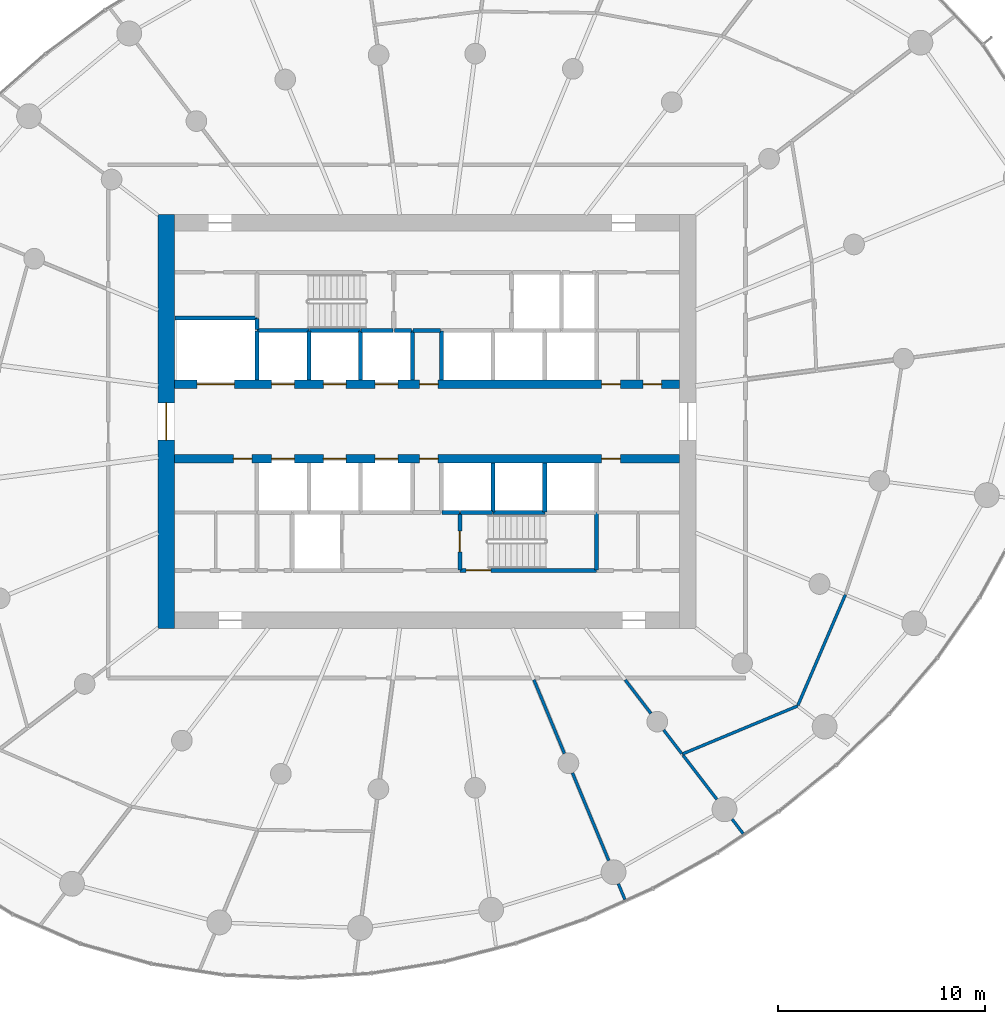
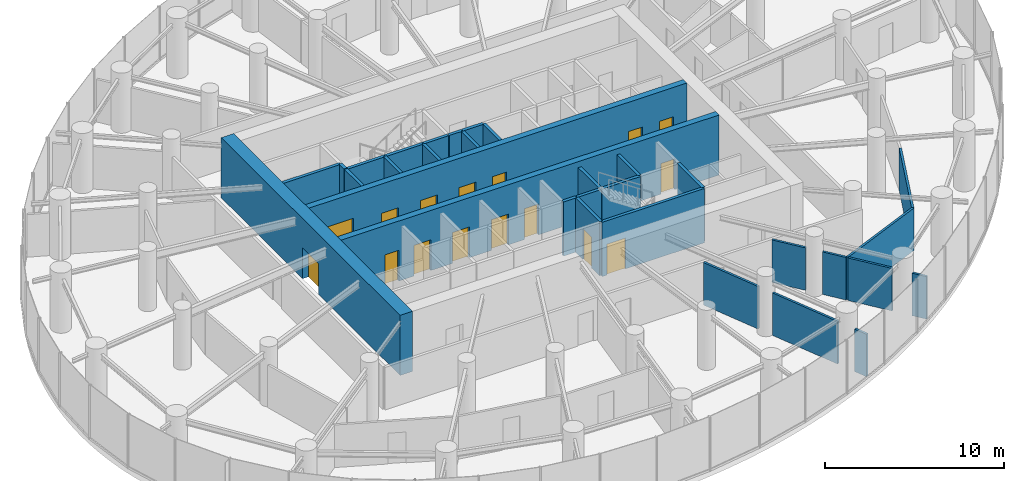
# One storey, part 11 of 17: 32 walls, 16 doors, 16 openings.
"""IFC4 building model written with IfcOpenShell, lengths in metres."""

from ifc_helpers import new_model, si_unit, direction, frame, frame_2d, origin, place, context, subcontext, project, spatial, rectangle, extrude, source, transform, mapped, material, layer, layer_set, type_object, element, fill, save


model = new_model("IFC4")

# Units and contexts
model_context = context("Model", 3, precision=1e-05, world=origin(), true_north=direction((0.0, 1.0)))
body_context = subcontext(model_context, "Body", "Model", "MODEL_VIEW")
ifc_project = project(units=[si_unit("LENGTHUNIT", "METRE"), si_unit("AREAUNIT", "SQUARE_METRE"), si_unit("VOLUMEUNIT", "CUBIC_METRE"), si_unit("PLANEANGLEUNIT", "RADIAN"), si_unit("MASSUNIT", "GRAM", prefix="KILO")], contexts=[model_context])

# Site, building, storey
site_placement = place(None, origin())
site = spatial("IfcSite", under=ifc_project, at=site_placement, CompositionType="ELEMENT")
building_placement = place(site_placement, origin())
building = spatial("IfcBuilding", under=site, at=building_placement, Name="Spindrift Exchange Tower", CompositionType="ELEMENT")
storey_placement = place(building_placement, frame((0.0, 0.0, 112.60009765625)))
storey = spatial("IfcBuildingStorey", under=building, at=storey_placement, Name="L26", CompositionType="ELEMENT", Elevation=112.60009765625)

# Wall, opening, door
ifc_material_1 = material(Name="Concrete 65 MPa", Category="concrete")
ifc_layer_1 = layer(ifc_material_1, 0.800048828125)
ifc_layer_set_1 = layer_set([ifc_layer_1], Name="RC Core Wall 800 Concrete 65 MPa")
wall_type_1 = type_object("IfcWallType", Name="RC Core Wall 800 Concrete 65 MPa", PredefinedType="SHEAR", material=ifc_layer_set_1)
wall_1_placement = place(storey_placement, frame((39.39990234375, 58.0, 0.0), z_axis=(0.0, 0.0, 1.0), x_axis=(0.0, -1.0, 0.0)))
wall_1 = element("IfcWall", 1, at=wall_1_placement, inside=storey, type_object=wall_type_1, Name="Core wall W L26", PredefinedType="SHEAR", context=body_context, shape_type="SweptSolid", body=[
    extrude(rectangle(XDim=20.0, YDim=0.800048828125, at=frame_2d((10.0, 0.0))), origin(), (0.0, 0.0, 1.0), 4.099853515625),
])
opening_1_placement = place(wall_1_placement, frame((9.10009765625, 0.0, 0.0)))
opening_1 = element("IfcOpeningElement", 2, at=opening_1_placement, cuts=wall_1, Name="Opening L26-D1", PredefinedType="OPENING", context=body_context, shape_type="SweptSolid", body=[
    extrude(rectangle(XDim=1.800048828125, YDim=2.10009765625, at=frame_2d((0.89990234375, 1.050048828125))), frame((0.0, 0.409912109375, 0.0), z_axis=(0.0, -1.0, 0.0), x_axis=(1.0, 0.0, 0.0)), (0.0, 0.0, 1.0), 0.820068359375),
])
ifc_material_2 = material(Name="Timber-core fire door", Category="wood")
door_type_1 = type_object("IfcDoorType", Name="DR-LOBBY-1800", OperationType="NOTDEFINED", PredefinedType="DOOR", material=ifc_material_2)
shared_shape_1 = source(origin(), body_context, "Body", "SweptSolid", [
    extrude(rectangle(XDim=1.800048828125, YDim=2.10009765625, at=frame_2d((0.89990234375, 1.050048828125))), frame((0.0, 0.02490234375, 0.0), z_axis=(0.0, -1.0, 0.0), x_axis=(1.0, 0.0, 0.0)), (0.0, 0.0, 1.0), 0.050048828125),
])
door_1_placement = place(opening_1_placement, origin())
door_1 = element("IfcDoor", 3, at=door_1_placement, inside=storey, type_object=door_type_1, Name="L26 Lobby door 1", OperationType="SINGLE_SWING_LEFT", OverallHeight=2.10009765625, OverallWidth=1.800048828125, PredefinedType="DOOR", context=body_context, shape_type="MappedRepresentation", body=[
    mapped(shared_shape_1, transform((0.0, 0.0, 0.0), scale=1.0)),
])
fill(opening_1, door_1)

# Wall, openings, doors
ifc_layer_2 = layer(ifc_material_1, 0.39990234375)
ifc_layer_set_2 = layer_set([ifc_layer_2], Name="RC Spine Wall 400 Concrete 65 MPa")
wall_type_2 = type_object("IfcWallType", Name="RC Spine Wall 400 Concrete 65 MPa", PredefinedType="SHEAR", material=ifc_layer_set_2)
wall_2_placement = place(storey_placement, frame((39.800048828125, 49.800048828125, 0.0), z_axis=(0.0, 0.0, 1.0), x_axis=(1.0, 0.0, 0.0)))
wall_2 = element("IfcWall", 4, at=wall_2_placement, inside=storey, type_object=wall_type_2, Name="Core spine wall N L26", PredefinedType="SHEAR", context=body_context, shape_type="SweptSolid", body=[
    extrude(rectangle(XDim=24.39990234375, YDim=0.39990234375, at=frame_2d((12.199951171875, 0.0))), origin(), (0.0, 0.0, 1.0), 4.099853515625),
])
opening_2_placement = place(wall_2_placement, frame((4.699951171875, 0.0, 0.0)))
opening_2 = element("IfcOpeningElement", 5, at=opening_2_placement, cuts=wall_2, Name="Opening L26-D3", PredefinedType="OPENING", context=body_context, shape_type="SweptSolid", body=[
    extrude(rectangle(XDim=1.10009765625, YDim=2.10009765625, at=frame_2d((0.550048828125, 1.050048828125))), frame((0.0, 0.2099609375, 0.0), z_axis=(0.0, -1.0, 0.0), x_axis=(1.0, 0.0, 0.0)), (0.0, 0.0, 1.0), 0.419921875),
])
opening_3_placement = place(wall_2_placement, frame((7.199951171875, 0.0, 0.0)))
opening_3 = element("IfcOpeningElement", 6, at=opening_3_placement, cuts=wall_2, Name="Opening L26-D4", PredefinedType="OPENING", context=body_context, shape_type="SweptSolid", body=[
    extrude(rectangle(XDim=1.10009765625, YDim=2.10009765625, at=frame_2d((0.550048828125, 1.050048828125))), frame((0.0, 0.2099609375, 0.0), z_axis=(0.0, -1.0, 0.0), x_axis=(1.0, 0.0, 0.0)), (0.0, 0.0, 1.0), 0.419921875),
])
opening_4_placement = place(wall_2_placement, frame((9.699951171875, 0.0, 0.0)))
opening_4 = element("IfcOpeningElement", 7, at=opening_4_placement, cuts=wall_2, Name="Opening L26-D5", PredefinedType="OPENING", context=body_context, shape_type="SweptSolid", body=[
    extrude(rectangle(XDim=1.10009765625, YDim=2.10009765625, at=frame_2d((0.550048828125, 1.050048828125))), frame((0.0, 0.2099609375, 0.0), z_axis=(0.0, -1.0, 0.0), x_axis=(1.0, 0.0, 0.0)), (0.0, 0.0, 1.0), 0.419921875),
])
opening_5_placement = place(wall_2_placement, frame((1.10009765625, 0.0, 0.0)))
opening_5 = element("IfcOpeningElement", 8, at=opening_5_placement, cuts=wall_2, Name="Opening L26-D12", PredefinedType="OPENING", context=body_context, shape_type="SweptSolid", body=[
    extrude(rectangle(XDim=1.800048828125, YDim=2.39990234375, at=frame_2d((0.89990234375, 1.199951171875))), frame((0.0, 0.2099609375, 0.0), z_axis=(0.0, -1.0, 0.0), x_axis=(1.0, 0.0, 0.0)), (0.0, 0.0, 1.0), 0.419921875),
])
opening_6_placement = place(wall_2_placement, frame((20.64990234375, 0.0, 0.0)))
opening_6 = element("IfcOpeningElement", 9, at=opening_6_placement, cuts=wall_2, Name="Opening L26-D50", PredefinedType="OPENING", context=body_context, shape_type="SweptSolid", body=[
    extrude(rectangle(XDim=0.89990234375, YDim=2.10009765625, at=frame_2d((0.449951171875, 1.050048828125))), frame((0.0, 0.2099609375, 0.0), z_axis=(0.0, -1.0, 0.0), x_axis=(1.0, 0.0, 0.0)), (0.0, 0.0, 1.0), 0.419921875),
])
opening_7_placement = place(wall_2_placement, frame((22.64990234375, 0.0, 0.0)))
opening_7 = element("IfcOpeningElement", 10, at=opening_7_placement, cuts=wall_2, Name="Opening L26-D51", PredefinedType="OPENING", context=body_context, shape_type="SweptSolid", body=[
    extrude(rectangle(XDim=0.89990234375, YDim=2.10009765625, at=frame_2d((0.449951171875, 1.050048828125))), frame((0.0, 0.2099609375, 0.0), z_axis=(0.0, -1.0, 0.0), x_axis=(1.0, 0.0, 0.0)), (0.0, 0.0, 1.0), 0.419921875),
])
opening_8_placement = place(wall_2_placement, frame((11.85009765625, 0.0, 0.0)))
opening_8 = element("IfcOpeningElement", 11, at=opening_8_placement, cuts=wall_2, Name="Opening L26-D56", PredefinedType="OPENING", context=body_context, shape_type="SweptSolid", body=[
    extrude(rectangle(XDim=0.89990234375, YDim=2.10009765625, at=frame_2d((0.449951171875, 1.050048828125))), frame((0.0, 0.2099609375, 0.0), z_axis=(0.0, -1.0, 0.0), x_axis=(1.0, 0.0, 0.0)), (0.0, 0.0, 1.0), 0.419921875),
])
ifc_material_3 = material(Name="Stainless steel landing door", Category="steel")
door_type_2 = type_object("IfcDoorType", Name="DR-LANDING-1100-SL", OperationType="DOUBLE_DOOR_SLIDING", PredefinedType="USERDEFINED", material=ifc_material_3)
shared_shape_2 = source(origin(), body_context, "Body", "SweptSolid", [
    extrude(rectangle(XDim=1.10009765625, YDim=2.10009765625, at=frame_2d((0.550048828125, 1.050048828125))), frame((0.0, 0.02490234375, 0.0), z_axis=(0.0, -1.0, 0.0), x_axis=(1.0, 0.0, 0.0)), (0.0, 0.0, 1.0), 0.050048828125),
])
door_2_placement = place(opening_2_placement, origin())
door_2 = element("IfcDoor", 12, at=door_2_placement, inside=storey, type_object=door_type_2, Name="L26 Lift landing door 3", ObjectType="LANDING DOOR", OperationType="DOUBLE_DOOR_SLIDING", OverallHeight=2.10009765625, OverallWidth=1.10009765625, PredefinedType="USERDEFINED", context=body_context, shape_type="MappedRepresentation", body=[
    mapped(shared_shape_2, transform((0.0, 0.0, 0.0), scale=1.0)),
])
fill(opening_2, door_2)
door_3_placement = place(opening_3_placement, origin())
door_3 = element("IfcDoor", 13, at=door_3_placement, inside=storey, type_object=door_type_2, Name="L26 Lift landing door 4", ObjectType="LANDING DOOR", OperationType="DOUBLE_DOOR_SLIDING", OverallHeight=2.10009765625, OverallWidth=1.10009765625, PredefinedType="USERDEFINED", context=body_context, shape_type="MappedRepresentation", body=[
    mapped(shared_shape_2, transform((0.0, 0.0, 0.0), scale=1.0)),
])
fill(opening_3, door_3)
door_4_placement = place(opening_4_placement, origin())
door_4 = element("IfcDoor", 14, at=door_4_placement, inside=storey, type_object=door_type_2, Name="L26 Lift landing door 5", ObjectType="LANDING DOOR", OperationType="DOUBLE_DOOR_SLIDING", OverallHeight=2.10009765625, OverallWidth=1.10009765625, PredefinedType="USERDEFINED", context=body_context, shape_type="MappedRepresentation", body=[
    mapped(shared_shape_2, transform((0.0, 0.0, 0.0), scale=1.0)),
])
fill(opening_4, door_4)
door_type_3 = type_object("IfcDoorType", Name="DR-LANDING-1800-SL", OperationType="DOUBLE_DOOR_SLIDING", PredefinedType="USERDEFINED", material=ifc_material_3)
shared_shape_3 = source(origin(), body_context, "Body", "SweptSolid", [
    extrude(rectangle(XDim=1.800048828125, YDim=2.39990234375, at=frame_2d((0.89990234375, 1.199951171875))), frame((0.0, 0.02490234375, 0.0), z_axis=(0.0, -1.0, 0.0), x_axis=(1.0, 0.0, 0.0)), (0.0, 0.0, 1.0), 0.050048828125),
])
door_5_placement = place(opening_5_placement, origin())
door_5 = element("IfcDoor", 15, at=door_5_placement, inside=storey, type_object=door_type_3, Name="L26 Lift landing door 12", ObjectType="LANDING DOOR", OperationType="DOUBLE_DOOR_SLIDING", OverallHeight=2.39990234375, OverallWidth=1.800048828125, PredefinedType="USERDEFINED", context=body_context, shape_type="MappedRepresentation", body=[
    mapped(shared_shape_3, transform((0.0, 0.0, 0.0), scale=1.0)),
])
fill(opening_5, door_5)
ifc_material_4 = material(Name="Steel access door", Category="steel")
door_type_4 = type_object("IfcDoorType", Name="DR-RISER-900", OperationType="NOTDEFINED", PredefinedType="DOOR", material=ifc_material_4)
shared_shape_4 = source(origin(), body_context, "Body", "SweptSolid", [
    extrude(rectangle(XDim=0.89990234375, YDim=2.10009765625, at=frame_2d((0.449951171875, 1.050048828125))), frame((0.0, 0.02490234375, 0.0), z_axis=(0.0, -1.0, 0.0), x_axis=(1.0, 0.0, 0.0)), (0.0, 0.0, 1.0), 0.050048828125),
])
door_6_placement = place(opening_6_placement, origin())
door_6 = element("IfcDoor", 16, at=door_6_placement, inside=storey, type_object=door_type_4, Name="L26 Riser door 50", OperationType="SINGLE_SWING_RIGHT", OverallHeight=2.10009765625, OverallWidth=0.89990234375, PredefinedType="DOOR", context=body_context, shape_type="MappedRepresentation", body=[
    mapped(shared_shape_4, transform((0.0, 0.0, 0.0), scale=1.0)),
])
fill(opening_6, door_6)
door_7_placement = place(opening_7_placement, origin())
door_7 = element("IfcDoor", 17, at=door_7_placement, inside=storey, type_object=door_type_4, Name="L26 Riser door 51", OperationType="SINGLE_SWING_LEFT", OverallHeight=2.10009765625, OverallWidth=0.89990234375, PredefinedType="DOOR", context=body_context, shape_type="MappedRepresentation", body=[
    mapped(shared_shape_4, transform((0.0, 0.0, 0.0), scale=1.0)),
])
fill(opening_7, door_7)
door_8_placement = place(opening_8_placement, origin())
door_8 = element("IfcDoor", 18, at=door_8_placement, inside=storey, type_object=door_type_4, Name="L26 Riser door 56", OperationType="SINGLE_SWING_RIGHT", OverallHeight=2.10009765625, OverallWidth=0.89990234375, PredefinedType="DOOR", context=body_context, shape_type="MappedRepresentation", body=[
    mapped(shared_shape_4, transform((0.0, 0.0, 0.0), scale=1.0)),
])
fill(opening_8, door_8)

wall_3_placement = place(storey_placement, frame((39.800048828125, 46.199951171875, 0.0), z_axis=(0.0, 0.0, 1.0), x_axis=(1.0, 0.0, 0.0)))
wall_3 = element("IfcWall", 19, at=wall_3_placement, inside=storey, type_object=wall_type_2, Name="Core spine wall S L26", PredefinedType="SHEAR", context=body_context, shape_type="SweptSolid", body=[
    extrude(rectangle(XDim=24.39990234375, YDim=0.39990234375, at=frame_2d((12.199951171875, 0.0))), origin(), (0.0, 0.0, 1.0), 4.099853515625),
])
opening_9_placement = place(wall_3_placement, frame((4.699951171875, 0.0, 0.0)))
opening_9 = element("IfcOpeningElement", 20, at=opening_9_placement, cuts=wall_3, Name="Opening L26-D6", PredefinedType="OPENING", context=body_context, shape_type="SweptSolid", body=[
    extrude(rectangle(XDim=1.10009765625, YDim=2.10009765625, at=frame_2d((0.550048828125, 1.050048828125))), frame((0.0, 0.2099609375, 0.0), z_axis=(0.0, -1.0, 0.0), x_axis=(1.0, 0.0, 0.0)), (0.0, 0.0, 1.0), 0.419921875),
])
opening_10_placement = place(wall_3_placement, frame((7.199951171875, 0.0, 0.0)))
opening_10 = element("IfcOpeningElement", 21, at=opening_10_placement, cuts=wall_3, Name="Opening L26-D7", PredefinedType="OPENING", context=body_context, shape_type="SweptSolid", body=[
    extrude(rectangle(XDim=1.10009765625, YDim=2.10009765625, at=frame_2d((0.550048828125, 1.050048828125))), frame((0.0, 0.2099609375, 0.0), z_axis=(0.0, -1.0, 0.0), x_axis=(1.0, 0.0, 0.0)), (0.0, 0.0, 1.0), 0.419921875),
])
opening_11_placement = place(wall_3_placement, frame((9.699951171875, 0.0, 0.0)))
opening_11 = element("IfcOpeningElement", 22, at=opening_11_placement, cuts=wall_3, Name="Opening L26-D8", PredefinedType="OPENING", context=body_context, shape_type="SweptSolid", body=[
    extrude(rectangle(XDim=1.10009765625, YDim=2.10009765625, at=frame_2d((0.550048828125, 1.050048828125))), frame((0.0, 0.2099609375, 0.0), z_axis=(0.0, -1.0, 0.0), x_axis=(1.0, 0.0, 0.0)), (0.0, 0.0, 1.0), 0.419921875),
])
opening_12_placement = place(wall_3_placement, frame((20.64990234375, 0.0, 0.0)))
opening_12 = element("IfcOpeningElement", 23, at=opening_12_placement, cuts=wall_3, Name="Opening L26-D49", PredefinedType="OPENING", context=body_context, shape_type="SweptSolid", body=[
    extrude(rectangle(XDim=0.89990234375, YDim=2.10009765625, at=frame_2d((0.449951171875, 1.050048828125))), frame((0.0, 0.2099609375, 0.0), z_axis=(0.0, -1.0, 0.0), x_axis=(1.0, 0.0, 0.0)), (0.0, 0.0, 1.0), 0.419921875),
])
opening_13_placement = place(wall_3_placement, frame((2.85009765625, 0.0, 0.0)))
opening_13 = element("IfcOpeningElement", 24, at=opening_13_placement, cuts=wall_3, Name="Opening L26-D55", PredefinedType="OPENING", context=body_context, shape_type="SweptSolid", body=[
    extrude(rectangle(XDim=0.89990234375, YDim=2.10009765625, at=frame_2d((0.449951171875, 1.050048828125))), frame((0.0, 0.2099609375, 0.0), z_axis=(0.0, -1.0, 0.0), x_axis=(1.0, 0.0, 0.0)), (0.0, 0.0, 1.0), 0.419921875),
])
opening_14_placement = place(wall_3_placement, frame((11.85009765625, 0.0, 0.0)))
opening_14 = element("IfcOpeningElement", 25, at=opening_14_placement, cuts=wall_3, Name="Opening L26-D57", PredefinedType="OPENING", context=body_context, shape_type="SweptSolid", body=[
    extrude(rectangle(XDim=0.89990234375, YDim=2.10009765625, at=frame_2d((0.449951171875, 1.050048828125))), frame((0.0, 0.2099609375, 0.0), z_axis=(0.0, -1.0, 0.0), x_axis=(1.0, 0.0, 0.0)), (0.0, 0.0, 1.0), 0.419921875),
])
door_9_placement = place(opening_9_placement, origin())
door_9 = element("IfcDoor", 26, at=door_9_placement, inside=storey, type_object=door_type_2, Name="L26 Lift landing door 6", ObjectType="LANDING DOOR", OperationType="DOUBLE_DOOR_SLIDING", OverallHeight=2.10009765625, OverallWidth=1.10009765625, PredefinedType="USERDEFINED", context=body_context, shape_type="MappedRepresentation", body=[
    mapped(shared_shape_2, transform((0.0, 0.0, 0.0), scale=1.0)),
])
fill(opening_9, door_9)
door_10_placement = place(opening_10_placement, origin())
door_10 = element("IfcDoor", 27, at=door_10_placement, inside=storey, type_object=door_type_2, Name="L26 Lift landing door 7", ObjectType="LANDING DOOR", OperationType="DOUBLE_DOOR_SLIDING", OverallHeight=2.10009765625, OverallWidth=1.10009765625, PredefinedType="USERDEFINED", context=body_context, shape_type="MappedRepresentation", body=[
    mapped(shared_shape_2, transform((0.0, 0.0, 0.0), scale=1.0)),
])
fill(opening_10, door_10)
door_11_placement = place(opening_11_placement, origin())
door_11 = element("IfcDoor", 28, at=door_11_placement, inside=storey, type_object=door_type_2, Name="L26 Lift landing door 8", ObjectType="LANDING DOOR", OperationType="DOUBLE_DOOR_SLIDING", OverallHeight=2.10009765625, OverallWidth=1.10009765625, PredefinedType="USERDEFINED", context=body_context, shape_type="MappedRepresentation", body=[
    mapped(shared_shape_2, transform((0.0, 0.0, 0.0), scale=1.0)),
])
fill(opening_11, door_11)
door_12_placement = place(opening_12_placement, origin())
door_12 = element("IfcDoor", 29, at=door_12_placement, inside=storey, type_object=door_type_4, Name="L26 Riser door 49", OperationType="SINGLE_SWING_LEFT", OverallHeight=2.10009765625, OverallWidth=0.89990234375, PredefinedType="DOOR", context=body_context, shape_type="MappedRepresentation", body=[
    mapped(shared_shape_4, transform((0.0, 0.0, 0.0), scale=1.0)),
])
fill(opening_12, door_12)
door_13_placement = place(opening_13_placement, origin())
door_13 = element("IfcDoor", 30, at=door_13_placement, inside=storey, type_object=door_type_4, Name="L26 Riser door 55", OperationType="SINGLE_SWING_LEFT", OverallHeight=2.10009765625, OverallWidth=0.89990234375, PredefinedType="DOOR", context=body_context, shape_type="MappedRepresentation", body=[
    mapped(shared_shape_4, transform((0.0, 0.0, 0.0), scale=1.0)),
])
fill(opening_13, door_13)
door_14_placement = place(opening_14_placement, origin())
door_14 = element("IfcDoor", 31, at=door_14_placement, inside=storey, type_object=door_type_4, Name="L26 Riser door 57", OperationType="SINGLE_SWING_LEFT", OverallHeight=2.10009765625, OverallWidth=0.89990234375, PredefinedType="DOOR", context=body_context, shape_type="MappedRepresentation", body=[
    mapped(shared_shape_4, transform((0.0, 0.0, 0.0), scale=1.0)),
])
fill(opening_14, door_14)

# Walls
ifc_material_5 = material(Name="Fire-rated plasterboard partition", Category="gypsum")
ifc_layer_3 = layer(ifc_material_5, 0.139892578125)
ifc_layer_set_3 = layer_set([ifc_layer_3], Name="W-PART-140")
wall_type_3 = type_object("IfcWallType", Name="W-PART-140", PredefinedType="PARTITIONING", material=ifc_layer_set_3)
wall_4_placement = place(storey_placement, frame((64.3798828125, 31.8662109375, 0.0), z_axis=(0.0, 0.0, 1.0), x_axis=(0.608796156599, -0.793326691666, 0.0)))
element("IfcWall", 32, at=wall_4_placement, inside=storey, type_object=wall_type_3, Name="L26 Partition wall 106", PredefinedType="PARTITIONING", context=body_context, shape_type="SweptSolid", body=[
    extrude(rectangle(XDim=2.684326171875, YDim=0.139892578125, at=frame_2d((1.34228515625, 0.0))), origin(), (0.0, 0.0, 1.0), 2.89990234375),
])
wall_5_placement = place(storey_placement, frame((66.75, 28.777587890625, 0.0), z_axis=(0.0, 0.0, 1.0), x_axis=(0.608583077593, -0.7934901623, 0.0)))
element("IfcWall", 33, at=wall_5_placement, inside=storey, type_object=wall_type_3, Name="L26 Partition wall 135", PredefinedType="PARTITIONING", context=body_context, shape_type="SweptSolid", body=[
    extrude(rectangle(XDim=0.87939453125, YDim=0.139892578125, at=frame_2d((0.439697265625, 0.0))), origin(), (0.0, 0.0, 1.0), 2.89990234375),
])
ifc_layer_4 = layer(ifc_material_5, 0.139892578125)
ifc_layer_set_4 = layer_set([ifc_layer_4], Name="W-PLANT-140")
wall_type_4 = type_object("IfcWallType", Name="W-PLANT-140", PredefinedType="PARTITIONING", material=ifc_layer_set_4)
wall_6_placement = place(storey_placement, frame((64.335693359375, 31.923583984375, 0.0), z_axis=(0.0, 0.0, 1.0), x_axis=(0.922965808989, 0.384881950002, 0.0)))
element("IfcWall", 34, at=wall_6_placement, inside=storey, type_object=wall_type_4, Name="L26 Partition wall 69", PredefinedType="PARTITIONING", context=body_context, shape_type="SweptSolid", body=[
    extrude(rectangle(XDim=6.047607421875, YDim=0.139892578125, at=frame_2d((3.02392578125, 0.0))), origin(), (0.0, 0.0, 1.0), 2.89990234375),
])
wall_7_placement = place(storey_placement, frame((69.929443359375, 34.27880859375, 0.0), z_axis=(0.0, 0.0, 1.0), x_axis=(0.39424857612, 0.919003841247, 0.0)))
element("IfcWall", 35, at=wall_7_placement, inside=storey, type_object=wall_type_4, Name="L26 Partition wall 72", PredefinedType="PARTITIONING", context=body_context, shape_type="SweptSolid", body=[
    extrude(rectangle(XDim=5.816162109375, YDim=0.139892578125, at=frame_2d((2.908203125, 0.0))), origin(), (0.0, 0.0, 1.0), 2.89990234375),
])
wall_8_placement = place(storey_placement, frame((59.034912109375, 31.015869140625, 0.0), z_axis=(0.0, 0.0, 1.0), x_axis=(0.382705930348, -0.923870213221, 0.0)))
element("IfcWall", 36, at=wall_8_placement, inside=storey, type_object=wall_type_4, Name="L26 Partition wall 85", PredefinedType="PARTITIONING", context=body_context, shape_type="SweptSolid", body=[
    extrude(rectangle(XDim=4.586669921875, YDim=0.139892578125, at=frame_2d((2.29345703125, 0.0))), origin(), (0.0, 0.0, 1.0), 2.89990234375),
])
wall_9_placement = place(storey_placement, frame((57.173583984375, 35.510009765625, 0.0), z_axis=(0.0, 0.0, 1.0), x_axis=(0.382644558062, -0.923895633817, 0.0)))
element("IfcWall", 37, at=wall_9_placement, inside=storey, type_object=wall_type_4, Name="L26 Partition wall 93", PredefinedType="PARTITIONING", context=body_context, shape_type="SweptSolid", body=[
    extrude(rectangle(XDim=3.854248046875, YDim=0.139892578125, at=frame_2d((1.92724609375, 0.0))), origin(), (0.0, 0.0, 1.0), 2.89990234375),
])
wall_10_placement = place(storey_placement, frame((61.583984375, 35.510009765625, 0.0), z_axis=(0.0, 0.0, 1.0), x_axis=(0.608727763541, -0.793379171578, 0.0)))
element("IfcWall", 38, at=wall_10_placement, inside=storey, type_object=wall_type_4, Name="L26 Partition wall 109", PredefinedType="PARTITIONING", context=body_context, shape_type="SweptSolid", body=[
    extrude(rectangle(XDim=2.04150390625, YDim=0.139892578125, at=frame_2d((1.020751953125, 0.0))), origin(), (0.0, 0.0, 1.0), 2.89990234375),
])
wall_11_placement = place(storey_placement, frame((63.44091796875, 33.08984375, 0.0), z_axis=(0.0, 0.0, 1.0), x_axis=(0.608726959118, -0.793379788779, 0.0)))
element("IfcWall", 39, at=wall_11_placement, inside=storey, type_object=wall_type_4, Name="L26 Partition wall 126", PredefinedType="PARTITIONING", context=body_context, shape_type="SweptSolid", body=[
    extrude(rectangle(XDim=1.43994140625, YDim=0.139892578125, at=frame_2d((0.719970703125, 0.0))), origin(), (0.0, 0.0, 1.0), 2.89990234375),
])
wall_12_placement = place(storey_placement, frame((61.25341796875, 25.660400390625, 0.0), z_axis=(0.0, 0.0, 1.0), x_axis=(0.382585904135, -0.923919923996, 0.0)))
element("IfcWall", 40, at=wall_12_placement, inside=storey, type_object=wall_type_4, Name="L26 Partition wall 137", PredefinedType="PARTITIONING", context=body_context, shape_type="SweptSolid", body=[
    extrude(rectangle(XDim=0.828857421875, YDim=0.139892578125, at=frame_2d((0.41455078125, 0.0))), origin(), (0.0, 0.0, 1.0), 2.89990234375),
])
ifc_material_6 = material(Name="Concrete 40 MPa", Category="concrete")
ifc_layer_5 = layer(ifc_material_6, 0.199951171875)
ifc_layer_set_5 = layer_set([ifc_layer_5], Name="W-SHAFT-200")
wall_type_5 = type_object("IfcWallType", Name="W-SHAFT-200", PredefinedType="SOLIDWALL", material=ifc_layer_set_5)
wall_13_placement = place(storey_placement, frame((51.300048828125, 50.010009765625, 0.0), z_axis=(0.0, 0.0, 1.0), x_axis=(0.0, 1.0, 0.0)))
element("IfcWall", 41, at=wall_13_placement, inside=storey, type_object=wall_type_5, Name="L26 Shaft wall 30", PredefinedType="SOLIDWALL", context=body_context, shape_type="SweptSolid", body=[
    extrude(rectangle(XDim=2.389892578125, YDim=0.199951171875, at=frame_2d((1.19482421875, 0.0))), origin(), (0.0, 0.0, 1.0), 3.699951171875),
])
wall_14_placement = place(storey_placement, frame((52.699951171875, 52.3701171875, 0.0), z_axis=(0.0, 0.0, 1.0), x_axis=(0.0, -1.0, 0.0)))
element("IfcWall", 42, at=wall_14_placement, inside=storey, type_object=wall_type_5, Name="L26 Shaft wall 32", PredefinedType="SOLIDWALL", context=body_context, shape_type="SweptSolid", body=[
    extrude(rectangle(XDim=2.360107421875, YDim=0.199951171875, at=frame_2d((1.18017578125, 0.0))), origin(), (0.0, 0.0, 1.0), 3.699951171875),
])
wall_15_placement = place(storey_placement, frame((51.330078125, 52.39990234375, 0.0), z_axis=(0.0, 0.0, 1.0), x_axis=(1.0, 0.0, 0.0)))
element("IfcWall", 43, at=wall_15_placement, inside=storey, type_object=wall_type_5, Name="L26 Shaft wall 49", PredefinedType="SOLIDWALL", context=body_context, shape_type="SweptSolid", body=[
    extrude(rectangle(XDim=1.33984375, YDim=0.199951171875, at=frame_2d((0.669921875, 0.0))), origin(), (0.0, 0.0, 1.0), 3.699951171875),
])

# Wall, opening, door
ifc_layer_6 = layer(ifc_material_6, 0.199951171875)
ifc_layer_set_6 = layer_set([ifc_layer_6], Name="W-SHAFT-200-LB")
wall_type_6 = type_object("IfcWallType", Name="W-SHAFT-200-LB", PredefinedType="SOLIDWALL", material=ifc_layer_set_6)
wall_16_placement = place(storey_placement, frame((53.60009765625, 40.800048828125, 0.0), z_axis=(0.0, 0.0, 1.0), x_axis=(1.0, 0.0, 0.0)))
wall_16 = element("IfcWall", 44, at=wall_16_placement, inside=storey, type_object=wall_type_6, Name="L26 Shaft wall 2", PredefinedType="SOLIDWALL", context=body_context, shape_type="SweptSolid", body=[
    extrude(rectangle(XDim=6.599853515625, YDim=0.199951171875, at=frame_2d((3.2998046875, 0.0))), origin(), (0.0, 0.0, 1.0), 3.699951171875),
])
opening_15_placement = place(wall_16_placement, frame((0.300048828125, 0.0, 0.0)))
opening_15 = element("IfcOpeningElement", 45, at=opening_15_placement, cuts=wall_16, Name="Opening L26-D16", PredefinedType="OPENING", context=body_context, shape_type="SweptSolid", body=[
    extrude(rectangle(XDim=1.199951171875, YDim=2.10009765625, at=frame_2d((0.60009765625, 1.050048828125))), frame((0.0, 0.10986328125, 0.0), z_axis=(0.0, -1.0, 0.0), x_axis=(1.0, 0.0, 0.0)), (0.0, 0.0, 1.0), 0.219970703125),
])
ifc_material_7 = material(Name="Steel fire door", Category="steel")
door_type_5 = type_object("IfcDoorType", Name="DR-STAIR-1200", OperationType="NOTDEFINED", PredefinedType="DOOR", material=ifc_material_7)
shared_shape_5 = source(origin(), body_context, "Body", "SweptSolid", [
    extrude(rectangle(XDim=1.199951171875, YDim=2.10009765625, at=frame_2d((0.60009765625, 1.050048828125))), frame((0.0, 0.02490234375, 0.0), z_axis=(0.0, -1.0, 0.0), x_axis=(1.0, 0.0, 0.0)), (0.0, 0.0, 1.0), 0.050048828125),
])
door_15_placement = place(opening_15_placement, origin())
door_15 = element("IfcDoor", 46, at=door_15_placement, inside=storey, type_object=door_type_5, Name="L26 Stair door 16", OperationType="SINGLE_SWING_RIGHT", OverallHeight=2.10009765625, OverallWidth=1.199951171875, PredefinedType="DOOR", context=body_context, shape_type="MappedRepresentation", body=[
    mapped(shared_shape_5, transform((0.0, 0.0, 0.0), scale=1.0)),
])
fill(opening_15, door_15)

# Walls
wall_17_placement = place(storey_placement, frame((43.800048828125, 53.0, 0.0), z_axis=(0.0, 0.0, 1.0), x_axis=(-1.0, 0.0, 0.0)))
element("IfcWall", 47, at=wall_17_placement, inside=storey, type_object=wall_type_6, Name="L26 Shaft wall 5", PredefinedType="SOLIDWALL", context=body_context, shape_type="SweptSolid", body=[
    extrude(rectangle(XDim=3.97998046875, YDim=0.199951171875, at=frame_2d((1.989990234375, 0.0))), origin(), (0.0, 0.0, 1.0), 3.699951171875),
])
wall_18_placement = place(storey_placement, frame((60.199951171875, 40.830078125, 0.0), z_axis=(0.0, 0.0, 1.0), x_axis=(0.0, 1.0, 0.0)))
element("IfcWall", 48, at=wall_18_placement, inside=storey, type_object=wall_type_6, Name="L26 Shaft wall 10", PredefinedType="SOLIDWALL", context=body_context, shape_type="SweptSolid", body=[
    extrude(rectangle(XDim=2.77001953125, YDim=0.199951171875, at=frame_2d((1.385009765625, 0.0))), origin(), (0.0, 0.0, 1.0), 3.699951171875),
])

# Wall, opening, door
wall_19_placement = place(storey_placement, frame((53.60009765625, 43.60009765625, 0.0), z_axis=(0.0, 0.0, 1.0), x_axis=(0.0, -1.0, 0.0)))
wall_19 = element("IfcWall", 49, at=wall_19_placement, inside=storey, type_object=wall_type_6, Name="L26 Shaft wall 11", PredefinedType="SOLIDWALL", context=body_context, shape_type="SweptSolid", body=[
    extrude(rectangle(XDim=2.77001953125, YDim=0.199951171875, at=frame_2d((1.385009765625, 0.0))), origin(), (0.0, 0.0, 1.0), 3.699951171875),
])
opening_16_placement = place(wall_19_placement, frame((0.89990234375, 0.0, 0.0)))
opening_16 = element("IfcOpeningElement", 50, at=opening_16_placement, cuts=wall_19, Name="Opening L26-D17", PredefinedType="OPENING", context=body_context, shape_type="SweptSolid", body=[
    extrude(rectangle(XDim=1.0, YDim=2.10009765625, at=frame_2d((0.5, 1.050048828125))), frame((0.0, 0.10986328125, 0.0), z_axis=(0.0, -1.0, 0.0), x_axis=(1.0, 0.0, 0.0)), (0.0, 0.0, 1.0), 0.219970703125),
])
door_type_6 = type_object("IfcDoorType", Name="DR-STAIR-1000", OperationType="NOTDEFINED", PredefinedType="DOOR", material=ifc_material_7)
shared_shape_6 = source(origin(), body_context, "Body", "SweptSolid", [
    extrude(rectangle(XDim=1.0, YDim=2.10009765625, at=frame_2d((0.5, 1.050048828125))), frame((0.0, 0.02490234375, 0.0), z_axis=(0.0, -1.0, 0.0), x_axis=(1.0, 0.0, 0.0)), (0.0, 0.0, 1.0), 0.050048828125),
])
door_16_placement = place(opening_16_placement, origin())
door_16 = element("IfcDoor", 51, at=door_16_placement, inside=storey, type_object=door_type_6, Name="L26 Stair door 17", OperationType="SINGLE_SWING_LEFT", OverallHeight=2.10009765625, OverallWidth=1.0, PredefinedType="DOOR", context=body_context, shape_type="MappedRepresentation", body=[
    mapped(shared_shape_6, transform((0.0, 0.0, 0.0), scale=1.0)),
])
fill(opening_16, door_16)

# Walls
wall_20_placement = place(storey_placement, frame((46.300048828125, 52.39990234375, 0.0), z_axis=(0.0, 0.0, 1.0), x_axis=(-1.0, 0.0, 0.0)))
element("IfcWall", 52, at=wall_20_placement, inside=storey, type_object=wall_type_6, Name="L26 Shaft wall 15", PredefinedType="SOLIDWALL", context=body_context, shape_type="SweptSolid", body=[
    extrude(rectangle(XDim=2.5, YDim=0.199951171875, at=frame_2d((1.25, 0.0))), origin(), (0.0, 0.0, 1.0), 3.699951171875),
])
wall_21_placement = place(storey_placement, frame((48.800048828125, 52.39990234375, 0.0), z_axis=(0.0, 0.0, 1.0), x_axis=(-1.0, 0.0, 0.0)))
element("IfcWall", 53, at=wall_21_placement, inside=storey, type_object=wall_type_6, Name="L26 Shaft wall 16", PredefinedType="SOLIDWALL", context=body_context, shape_type="SweptSolid", body=[
    extrude(rectangle(XDim=2.469970703125, YDim=0.199951171875, at=frame_2d((1.23486328125, 0.0))), origin(), (0.0, 0.0, 1.0), 3.699951171875),
])
wall_22_placement = place(storey_placement, frame((55.199951171875, 43.60009765625, 0.0), z_axis=(0.0, 0.0, 1.0), x_axis=(1.0, 0.0, 0.0)))
element("IfcWall", 54, at=wall_22_placement, inside=storey, type_object=wall_type_6, Name="L26 Shaft wall 19", PredefinedType="SOLIDWALL", context=body_context, shape_type="SweptSolid", body=[
    extrude(rectangle(XDim=2.5, YDim=0.199951171875, at=frame_2d((1.25, 0.0))), origin(), (0.0, 0.0, 1.0), 3.699951171875),
])
for number, where, z_axis, x_axis, name in (
    (55, (43.800048828125, 52.3701171875, 0.0), (0.0, 0.0, 1.0), (0.0, -1.0, 0.0), "L26 Shaft wall 24"),
    (56, (46.300048828125, 50.010009765625, 0.0), (0.0, 0.0, 1.0), (0.0, 1.0, 0.0), "L26 Shaft wall 26"),
    (57, (48.800048828125, 50.010009765625, 0.0), (0.0, 0.0, 1.0), (0.0, 1.0, 0.0), "L26 Shaft wall 28"),
    (58, (55.199951171875, 43.6298828125, 0.0), (0.0, 0.0, 1.0), (0.0, 1.0, 0.0), "L26 Shaft wall 33"),
    (59, (57.699951171875, 43.6298828125, 0.0), (0.0, 0.0, 1.0), (0.0, 1.0, 0.0), "L26 Shaft wall 35"),
):
    element("IfcWall", number, at=place(storey_placement, frame(where, z_axis=z_axis, x_axis=x_axis)), inside=storey, type_object=wall_type_6, Name=name, PredefinedType="SOLIDWALL", context=body_context, shape_type="SweptSolid", body=[
        extrude(rectangle(XDim=2.360107421875, YDim=0.199951171875, at=frame_2d((1.18017578125, 0.0))), origin(), (0.0, 0.0, 1.0), 3.699951171875),
    ])
for number, where, z_axis, x_axis, name in (
    (60, (50.3701171875, 52.39990234375, 0.0), (0.0, 0.0, 1.0), (-1.0, 0.0, 0.0), "L26 Shaft wall 45"),
    (61, (53.6298828125, 43.60009765625, 0.0), (0.0, 0.0, 1.0), (1.0, 0.0, 0.0), "L26 Shaft wall 46"),
):
    element("IfcWall", number, at=place(storey_placement, frame(where, z_axis=z_axis, x_axis=x_axis)), inside=storey, type_object=wall_type_6, Name=name, PredefinedType="SOLIDWALL", context=body_context, shape_type="SweptSolid", body=[
        extrude(rectangle(XDim=1.5400390625, YDim=0.199951171875, at=frame_2d((0.77001953125, 0.0))), origin(), (0.0, 0.0, 1.0), 3.699951171875),
    ])
for number, where, z_axis, x_axis, name in (
    (62, (51.27001953125, 52.39990234375, 0.0), (0.0, 0.0, 1.0), (-1.0, 0.0, 0.0), "L26 Shaft wall 51"),
    (63, (52.72998046875, 43.60009765625, 0.0), (0.0, 0.0, 1.0), (1.0, 0.0, 0.0), "L26 Shaft wall 52"),
):
    element("IfcWall", number, at=place(storey_placement, frame(where, z_axis=z_axis, x_axis=x_axis)), inside=storey, type_object=wall_type_6, Name=name, PredefinedType="SOLIDWALL", context=body_context, shape_type="SweptSolid", body=[
        extrude(rectangle(XDim=0.840087890625, YDim=0.199951171875, at=frame_2d((0.419921875, 0.0))), origin(), (0.0, 0.0, 1.0), 3.699951171875),
    ])
wall_23_placement = place(storey_placement, frame((43.800048828125, 52.429931640625, 0.0), z_axis=(0.0, 0.0, 1.0), x_axis=(0.0, 1.0, 0.0)))
element("IfcWall", 64, at=wall_23_placement, inside=storey, type_object=wall_type_6, Name="L26 Shaft wall 56", PredefinedType="SOLIDWALL", context=body_context, shape_type="SweptSolid", body=[
    extrude(rectangle(XDim=0.5400390625, YDim=0.199951171875, at=frame_2d((0.27001953125, 0.0))), origin(), (0.0, 0.0, 1.0), 3.699951171875),
])

save(model, "model.ifc")
